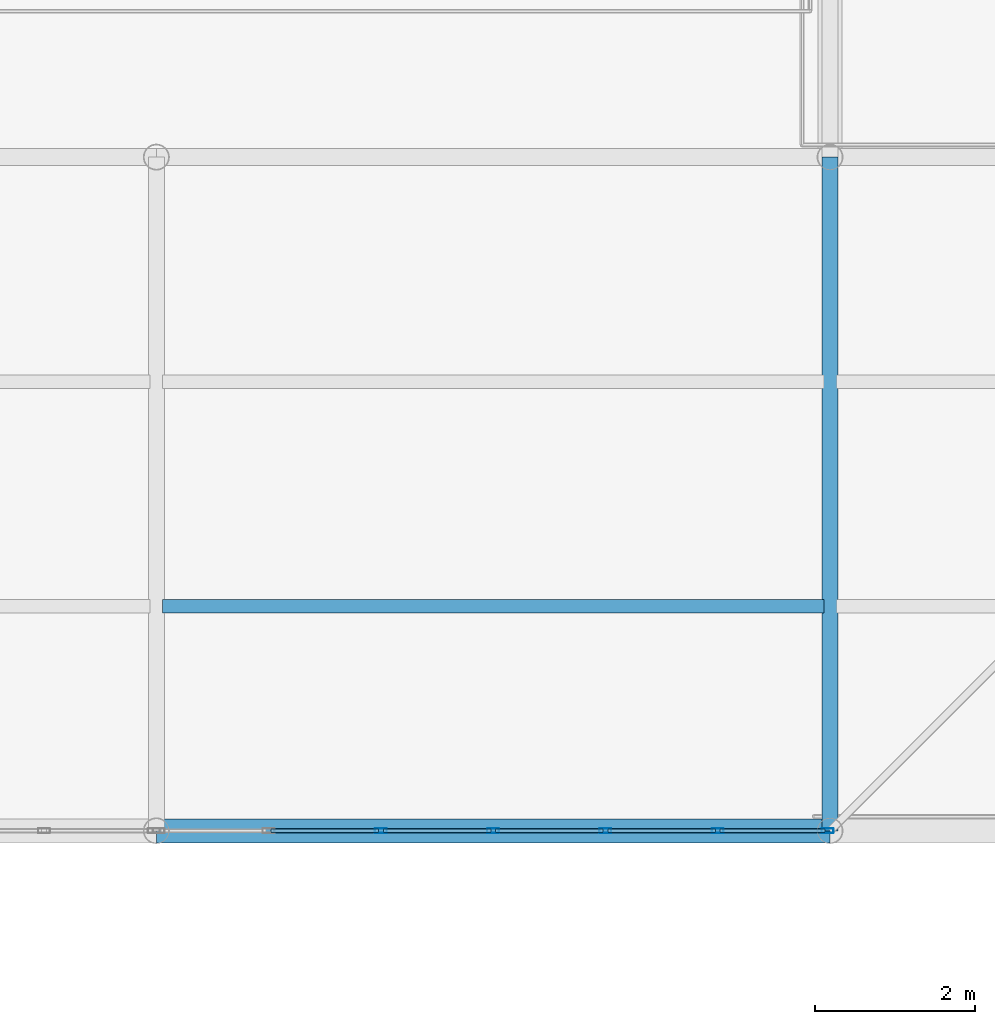
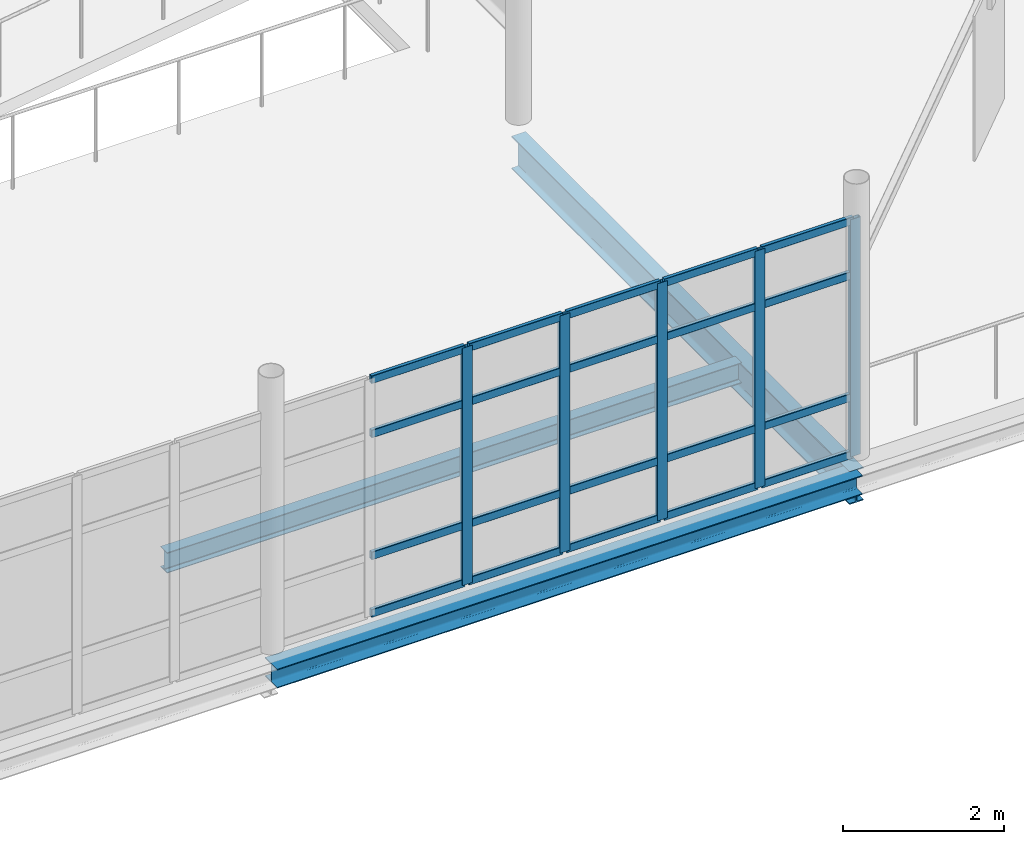
# One storey, part 33 of 69: 25 members, 3 beams, 1 element without a shape of its own.
"""IFC4 building model written with IfcOpenShell, lengths in metres."""

from ifc_helpers import new_model, si_unit, direction, frame, origin, origin_2d, place, context, subcontext, project, spatial, hollow_rectangle, i_section, extrude, material, layer, layer_set, material_profile, profile_set, type_object, element, aggregate, save


model = new_model("IFC4")

# Units and contexts
model_context = context("Model", 3, precision=1e-05, world=origin(), true_north=direction((0.0, 1.0)))
body_context = subcontext(model_context, "Body", "Model", "MODEL_VIEW")
ifc_project = project(units=[si_unit("LENGTHUNIT", "METRE"), si_unit("AREAUNIT", "SQUARE_METRE"), si_unit("VOLUMEUNIT", "CUBIC_METRE"), si_unit("PLANEANGLEUNIT", "RADIAN"), si_unit("MASSUNIT", "GRAM", prefix="KILO")], contexts=[model_context])

# Site, building, storey
site_placement = place(None, origin())
site = spatial("IfcSite", under=ifc_project, at=site_placement, CompositionType="ELEMENT")
building_placement = place(site_placement, origin())
building = spatial("IfcBuilding", under=site, at=building_placement, Name="Qalvenar Corner Mobility Hub", CompositionType="ELEMENT")
storey_placement = place(building_placement, frame((0.0, 0.0, 13.199951171875)))
storey = spatial("IfcBuildingStorey", under=building, at=storey_placement, Name="L03", CompositionType="ELEMENT", Elevation=13.199951171875)

# Beams
ifc_material_1 = material(Name="Steel S355", Category="steel")
ifc_material_profile_1 = material_profile(ifc_material_1, i_section(OverallWidth=0.199951171875, OverallDepth=0.5, WebThickness=0.01025390625, FlangeThickness=0.01611328125, FilletRadius=0.02099609375, at=origin_2d()), Name="IPE500")
ifc_profile_set_1 = profile_set([ifc_material_profile_1], Name="Steel S355")
beam_type_1 = type_object("IfcBeamType", Name="BM-IPE500", PredefinedType="BEAM", material=ifc_profile_set_1)
beam_1_placement = place(storey_placement, frame((159.60009765625, 67.199951171875, -0.489990234375), z_axis=(0.0, 1.0, 0.0), x_axis=(-1.0, 0.0, 0.0)))
element("IfcBeam", 1, at=beam_1_placement, inside=storey, type_object=beam_type_1, Name="Primary Steel Girder GY-2555", PredefinedType="BEAM", context=body_context, shape_type="SweptSolid", body=[
    extrude(i_section(OverallWidth=0.199951171875, OverallDepth=0.5, WebThickness=0.01025390625, FlangeThickness=0.01611328125, FilletRadius=0.02099609375, at=origin_2d()), origin(), (0.0, 0.0, 1.0), 8.400146484375),
])
ifc_material_profile_2 = material_profile(ifc_material_1, i_section(OverallWidth=0.1650390625, OverallDepth=0.31005859375, WebThickness=0.005859375, FlangeThickness=0.009765625, FilletRadius=0.011962890625, at=origin_2d()), Name="W310x38.7")
ifc_profile_set_2 = profile_set([ifc_material_profile_2], Name="Steel S355")
beam_type_2 = type_object("IfcBeamType", Name="BM-JST310", PredefinedType="JOIST", material=ifc_profile_set_2)
beam_2_placement = place(storey_placement, frame((151.278076171875, 70.0, -0.39501953125), z_axis=(1.0, 0.0, 0.0), x_axis=(0.0, 1.0, 0.0)))
element("IfcBeam", 2, at=beam_2_placement, inside=storey, type_object=beam_type_2, Name="Composite Floor Joist J-2575", PredefinedType="JOIST", context=body_context, shape_type="SweptSolid", body=[
    extrude(i_section(OverallWidth=0.1650390625, OverallDepth=0.31005859375, WebThickness=0.005859375, FlangeThickness=0.009765625, FilletRadius=0.011962890625, at=origin_2d()), origin(), (0.0, 0.0, 1.0), 8.243896484375),
])
ifc_material_profile_3 = material_profile(ifc_material_1, i_section(OverallWidth=0.300048828125, OverallDepth=0.2900390625, WebThickness=0.008544921875, FlangeThickness=0.013916015625, FilletRadius=0.027099609375, at=origin_2d()), Name="HEA300")
ifc_profile_set_3 = profile_set([ifc_material_profile_3], Name="Steel S355")
beam_type_3 = type_object("IfcBeamType", Name="BM-SPN300", PredefinedType="SPANDREL", material=ifc_profile_set_3)
beam_3_placement = place(storey_placement, frame((151.199951171875, 67.199951171875, -0.385009765625), z_axis=(1.0, 0.0, 0.0), x_axis=(0.0, 1.0, 0.0)))
element("IfcBeam", 3, at=beam_3_placement, inside=storey, type_object=beam_type_3, Name="Primary Steel Girder GX-2536", PredefinedType="SPANDREL", context=body_context, shape_type="SweptSolid", body=[
    extrude(i_section(OverallWidth=0.300048828125, OverallDepth=0.2900390625, WebThickness=0.008544921875, FlangeThickness=0.013916015625, FilletRadius=0.027099609375, at=origin_2d()), origin(), (0.0, 0.0, 1.0), 8.400146484375),
])

# Curtain wall, members
ifc_material_2 = material(Name="Anodised Aluminium and Low-E Glazing", Category="aluminium")
ifc_layer = layer(ifc_material_2, 0.1201171875)
ifc_layer_set = layer_set([ifc_layer], Name="Anodised Aluminium and Low-E Glazing")
curtain_wall_type = type_object("IfcCurtainWallType", Name="CW-STR-42X40", PredefinedType="NOTDEFINED", material=ifc_layer_set)
curtain_wall_placement = place(storey_placement, origin())
curtain_wall = element("IfcCurtainWall", 4, at=curtain_wall_placement, inside=storey, type_object=curtain_wall_type, Name="Glazed Curtain Wall CW-V2-L03-S1", PredefinedType="NOTDEFINED")
ifc_material_3 = material(Name="Anodised Aluminium 6063-T6", Category="aluminium")
ifc_material_profile_4 = material_profile(ifc_material_3, hollow_rectangle(XDim=0.06005859375, YDim=0.14990234375, WallThickness=0.00390625, InnerFilletRadius=0.00390625, OuterFilletRadius=0.008056640625, at=origin_2d()), Name="RHS150x60x4")
ifc_profile_set_4 = profile_set([ifc_material_profile_4], Name="Anodised Aluminium 6063-T6")
member_type_1 = type_object("IfcMemberType", Name="CW-MUL150", PredefinedType="MULLION", material=ifc_profile_set_4)
member_1_placement = place(storey_placement, frame((154.0, 67.199951171875, 0.0), z_axis=(0.0, 0.0, 1.0), x_axis=(0.0, 1.0, 0.0)))
member_1 = element("IfcMember", 5, at=member_1_placement, type_object=member_type_1, Name="CW-10 mullion 3", PredefinedType="MULLION", context=body_context, shape_type="SweptSolid", body=[
    extrude(hollow_rectangle(XDim=0.06005859375, YDim=0.14990234375, WallThickness=0.00390625, InnerFilletRadius=0.00390625, OuterFilletRadius=0.008056640625, at=origin_2d()), origin(), (0.0, 0.0, 1.0), 3.60009765625),
])
member_2_placement = place(storey_placement, frame((155.39990234375, 67.199951171875, 0.0), z_axis=(0.0, 0.0, 1.0), x_axis=(0.0, 1.0, 0.0)))
member_2 = element("IfcMember", 6, at=member_2_placement, type_object=member_type_1, Name="CW-10 mullion 4", PredefinedType="MULLION", context=body_context, shape_type="SweptSolid", body=[
    extrude(hollow_rectangle(XDim=0.06005859375, YDim=0.14990234375, WallThickness=0.00390625, InnerFilletRadius=0.00390625, OuterFilletRadius=0.008056640625, at=origin_2d()), origin(), (0.0, 0.0, 1.0), 3.60009765625),
])
member_3_placement = place(storey_placement, frame((156.800048828125, 67.199951171875, 0.0), z_axis=(0.0, 0.0, 1.0), x_axis=(0.0, 1.0, 0.0)))
member_3 = element("IfcMember", 7, at=member_3_placement, type_object=member_type_1, Name="CW-10 mullion 5", PredefinedType="MULLION", context=body_context, shape_type="SweptSolid", body=[
    extrude(hollow_rectangle(XDim=0.06005859375, YDim=0.14990234375, WallThickness=0.00390625, InnerFilletRadius=0.00390625, OuterFilletRadius=0.008056640625, at=origin_2d()), origin(), (0.0, 0.0, 1.0), 3.60009765625),
])
member_4_placement = place(storey_placement, frame((158.199951171875, 67.199951171875, 0.0), z_axis=(0.0, 0.0, 1.0), x_axis=(0.0, 1.0, 0.0)))
member_4 = element("IfcMember", 8, at=member_4_placement, type_object=member_type_1, Name="CW-10 mullion 6", PredefinedType="MULLION", context=body_context, shape_type="SweptSolid", body=[
    extrude(hollow_rectangle(XDim=0.06005859375, YDim=0.14990234375, WallThickness=0.00390625, InnerFilletRadius=0.00390625, OuterFilletRadius=0.008056640625, at=origin_2d()), origin(), (0.0, 0.0, 1.0), 3.60009765625),
])
member_5_placement = place(storey_placement, frame((159.570068359375, 67.199951171875, 0.0), z_axis=(0.0, 0.0, 1.0), x_axis=(0.0, 1.0, 0.0)))
member_5 = element("IfcMember", 9, at=member_5_placement, type_object=member_type_1, Name="CW-10 mullion 7", PredefinedType="MULLION", context=body_context, shape_type="SweptSolid", body=[
    extrude(hollow_rectangle(XDim=0.06005859375, YDim=0.14990234375, WallThickness=0.00390625, InnerFilletRadius=0.00390625, OuterFilletRadius=0.008056640625, at=origin_2d()), origin(), (0.0, 0.0, 1.0), 3.60009765625),
])
ifc_material_profile_5 = material_profile(ifc_material_3, hollow_rectangle(XDim=0.054931640625, YDim=0.1201171875, WallThickness=0.00341796875, InnerFilletRadius=0.00341796875, OuterFilletRadius=0.007080078125, at=origin_2d()), Name="RHS120x55x3.5")
ifc_profile_set_5 = profile_set([ifc_material_profile_5], Name="Anodised Aluminium 6063-T6")
member_type_2 = type_object("IfcMemberType", Name="CW-TRN120", PredefinedType="USERDEFINED", material=ifc_profile_set_5)
member_6_placement = place(storey_placement, frame((152.6298828125, 67.199951171875, 0.027587890625), z_axis=(1.0, 0.0, 0.0), x_axis=(0.0, 1.0, 0.0)))
member_6 = element("IfcMember", 10, at=member_6_placement, type_object=member_type_2, Name="CW-10 transom 2.1", ObjectType="TRANSOM", PredefinedType="USERDEFINED", context=body_context, shape_type="SweptSolid", body=[
    extrude(hollow_rectangle(XDim=0.054931640625, YDim=0.1201171875, WallThickness=0.00341796875, InnerFilletRadius=0.00341796875, OuterFilletRadius=0.007080078125, at=origin_2d()), origin(), (0.0, 0.0, 1.0), 1.340087890625),
])
member_7_placement = place(storey_placement, frame((152.6298828125, 67.199951171875, 0.900146484375), z_axis=(1.0, 0.0, 0.0), x_axis=(0.0, 1.0, 0.0)))
member_7 = element("IfcMember", 11, at=member_7_placement, type_object=member_type_2, Name="CW-10 transom 2.2", ObjectType="TRANSOM", PredefinedType="USERDEFINED", context=body_context, shape_type="SweptSolid", body=[
    extrude(hollow_rectangle(XDim=0.054931640625, YDim=0.1201171875, WallThickness=0.00341796875, InnerFilletRadius=0.00341796875, OuterFilletRadius=0.007080078125, at=origin_2d()), origin(), (0.0, 0.0, 1.0), 1.340087890625),
])
member_8_placement = place(storey_placement, frame((152.6298828125, 67.199951171875, 2.75), z_axis=(1.0, 0.0, 0.0), x_axis=(0.0, 1.0, 0.0)))
member_8 = element("IfcMember", 12, at=member_8_placement, type_object=member_type_2, Name="CW-10 transom 2.3", ObjectType="TRANSOM", PredefinedType="USERDEFINED", context=body_context, shape_type="SweptSolid", body=[
    extrude(hollow_rectangle(XDim=0.054931640625, YDim=0.1201171875, WallThickness=0.00341796875, InnerFilletRadius=0.00341796875, OuterFilletRadius=0.007080078125, at=origin_2d()), origin(), (0.0, 0.0, 1.0), 1.340087890625),
])
member_9_placement = place(storey_placement, frame((152.6298828125, 67.199951171875, 3.572509765625), z_axis=(1.0, 0.0, 0.0), x_axis=(0.0, 1.0, 0.0)))
member_9 = element("IfcMember", 13, at=member_9_placement, type_object=member_type_2, Name="CW-10 transom 2.4", ObjectType="TRANSOM", PredefinedType="USERDEFINED", context=body_context, shape_type="SweptSolid", body=[
    extrude(hollow_rectangle(XDim=0.054931640625, YDim=0.1201171875, WallThickness=0.00341796875, InnerFilletRadius=0.00341796875, OuterFilletRadius=0.007080078125, at=origin_2d()), origin(), (0.0, 0.0, 1.0), 1.340087890625),
])
member_10_placement = place(storey_placement, frame((154.030029296875, 67.199951171875, 0.027587890625), z_axis=(1.0, 0.0, 0.0), x_axis=(0.0, 1.0, 0.0)))
member_10 = element("IfcMember", 14, at=member_10_placement, type_object=member_type_2, Name="CW-10 transom 3.1", ObjectType="TRANSOM", PredefinedType="USERDEFINED", context=body_context, shape_type="SweptSolid", body=[
    extrude(hollow_rectangle(XDim=0.054931640625, YDim=0.1201171875, WallThickness=0.00341796875, InnerFilletRadius=0.00341796875, OuterFilletRadius=0.007080078125, at=origin_2d()), origin(), (0.0, 0.0, 1.0), 1.340087890625),
])
member_11_placement = place(storey_placement, frame((154.030029296875, 67.199951171875, 0.900146484375), z_axis=(1.0, 0.0, 0.0), x_axis=(0.0, 1.0, 0.0)))
member_11 = element("IfcMember", 15, at=member_11_placement, type_object=member_type_2, Name="CW-10 transom 3.2", ObjectType="TRANSOM", PredefinedType="USERDEFINED", context=body_context, shape_type="SweptSolid", body=[
    extrude(hollow_rectangle(XDim=0.054931640625, YDim=0.1201171875, WallThickness=0.00341796875, InnerFilletRadius=0.00341796875, OuterFilletRadius=0.007080078125, at=origin_2d()), origin(), (0.0, 0.0, 1.0), 1.340087890625),
])
member_12_placement = place(storey_placement, frame((154.030029296875, 67.199951171875, 2.75), z_axis=(1.0, 0.0, 0.0), x_axis=(0.0, 1.0, 0.0)))
member_12 = element("IfcMember", 16, at=member_12_placement, type_object=member_type_2, Name="CW-10 transom 3.3", ObjectType="TRANSOM", PredefinedType="USERDEFINED", context=body_context, shape_type="SweptSolid", body=[
    extrude(hollow_rectangle(XDim=0.054931640625, YDim=0.1201171875, WallThickness=0.00341796875, InnerFilletRadius=0.00341796875, OuterFilletRadius=0.007080078125, at=origin_2d()), origin(), (0.0, 0.0, 1.0), 1.340087890625),
])
member_13_placement = place(storey_placement, frame((154.030029296875, 67.199951171875, 3.572509765625), z_axis=(1.0, 0.0, 0.0), x_axis=(0.0, 1.0, 0.0)))
member_13 = element("IfcMember", 17, at=member_13_placement, type_object=member_type_2, Name="CW-10 transom 3.4", ObjectType="TRANSOM", PredefinedType="USERDEFINED", context=body_context, shape_type="SweptSolid", body=[
    extrude(hollow_rectangle(XDim=0.054931640625, YDim=0.1201171875, WallThickness=0.00341796875, InnerFilletRadius=0.00341796875, OuterFilletRadius=0.007080078125, at=origin_2d()), origin(), (0.0, 0.0, 1.0), 1.340087890625),
])
member_14_placement = place(storey_placement, frame((155.429931640625, 67.199951171875, 0.027587890625), z_axis=(1.0, 0.0, 0.0), x_axis=(0.0, 1.0, 0.0)))
member_14 = element("IfcMember", 18, at=member_14_placement, type_object=member_type_2, Name="CW-10 transom 4.1", ObjectType="TRANSOM", PredefinedType="USERDEFINED", context=body_context, shape_type="SweptSolid", body=[
    extrude(hollow_rectangle(XDim=0.054931640625, YDim=0.1201171875, WallThickness=0.00341796875, InnerFilletRadius=0.00341796875, OuterFilletRadius=0.007080078125, at=origin_2d()), origin(), (0.0, 0.0, 1.0), 1.340087890625),
])
member_15_placement = place(storey_placement, frame((155.429931640625, 67.199951171875, 0.900146484375), z_axis=(1.0, 0.0, 0.0), x_axis=(0.0, 1.0, 0.0)))
member_15 = element("IfcMember", 19, at=member_15_placement, type_object=member_type_2, Name="CW-10 transom 4.2", ObjectType="TRANSOM", PredefinedType="USERDEFINED", context=body_context, shape_type="SweptSolid", body=[
    extrude(hollow_rectangle(XDim=0.054931640625, YDim=0.1201171875, WallThickness=0.00341796875, InnerFilletRadius=0.00341796875, OuterFilletRadius=0.007080078125, at=origin_2d()), origin(), (0.0, 0.0, 1.0), 1.340087890625),
])
member_16_placement = place(storey_placement, frame((155.429931640625, 67.199951171875, 2.75), z_axis=(1.0, 0.0, 0.0), x_axis=(0.0, 1.0, 0.0)))
member_16 = element("IfcMember", 20, at=member_16_placement, type_object=member_type_2, Name="CW-10 transom 4.3", ObjectType="TRANSOM", PredefinedType="USERDEFINED", context=body_context, shape_type="SweptSolid", body=[
    extrude(hollow_rectangle(XDim=0.054931640625, YDim=0.1201171875, WallThickness=0.00341796875, InnerFilletRadius=0.00341796875, OuterFilletRadius=0.007080078125, at=origin_2d()), origin(), (0.0, 0.0, 1.0), 1.340087890625),
])
member_17_placement = place(storey_placement, frame((155.429931640625, 67.199951171875, 3.572509765625), z_axis=(1.0, 0.0, 0.0), x_axis=(0.0, 1.0, 0.0)))
member_17 = element("IfcMember", 21, at=member_17_placement, type_object=member_type_2, Name="CW-10 transom 4.4", ObjectType="TRANSOM", PredefinedType="USERDEFINED", context=body_context, shape_type="SweptSolid", body=[
    extrude(hollow_rectangle(XDim=0.054931640625, YDim=0.1201171875, WallThickness=0.00341796875, InnerFilletRadius=0.00341796875, OuterFilletRadius=0.007080078125, at=origin_2d()), origin(), (0.0, 0.0, 1.0), 1.340087890625),
])
member_18_placement = place(storey_placement, frame((156.830078125, 67.199951171875, 0.027587890625), z_axis=(1.0, 0.0, 0.0), x_axis=(0.0, 1.0, 0.0)))
member_18 = element("IfcMember", 22, at=member_18_placement, type_object=member_type_2, Name="CW-10 transom 5.1", ObjectType="TRANSOM", PredefinedType="USERDEFINED", context=body_context, shape_type="SweptSolid", body=[
    extrude(hollow_rectangle(XDim=0.054931640625, YDim=0.1201171875, WallThickness=0.00341796875, InnerFilletRadius=0.00341796875, OuterFilletRadius=0.007080078125, at=origin_2d()), origin(), (0.0, 0.0, 1.0), 1.33984375),
])
member_19_placement = place(storey_placement, frame((156.830078125, 67.199951171875, 0.900146484375), z_axis=(1.0, 0.0, 0.0), x_axis=(0.0, 1.0, 0.0)))
member_19 = element("IfcMember", 23, at=member_19_placement, type_object=member_type_2, Name="CW-10 transom 5.2", ObjectType="TRANSOM", PredefinedType="USERDEFINED", context=body_context, shape_type="SweptSolid", body=[
    extrude(hollow_rectangle(XDim=0.054931640625, YDim=0.1201171875, WallThickness=0.00341796875, InnerFilletRadius=0.00341796875, OuterFilletRadius=0.007080078125, at=origin_2d()), origin(), (0.0, 0.0, 1.0), 1.33984375),
])
member_20_placement = place(storey_placement, frame((156.830078125, 67.199951171875, 2.75), z_axis=(1.0, 0.0, 0.0), x_axis=(0.0, 1.0, 0.0)))
member_20 = element("IfcMember", 24, at=member_20_placement, type_object=member_type_2, Name="CW-10 transom 5.3", ObjectType="TRANSOM", PredefinedType="USERDEFINED", context=body_context, shape_type="SweptSolid", body=[
    extrude(hollow_rectangle(XDim=0.054931640625, YDim=0.1201171875, WallThickness=0.00341796875, InnerFilletRadius=0.00341796875, OuterFilletRadius=0.007080078125, at=origin_2d()), origin(), (0.0, 0.0, 1.0), 1.33984375),
])
member_21_placement = place(storey_placement, frame((156.830078125, 67.199951171875, 3.572509765625), z_axis=(1.0, 0.0, 0.0), x_axis=(0.0, 1.0, 0.0)))
member_21 = element("IfcMember", 25, at=member_21_placement, type_object=member_type_2, Name="CW-10 transom 5.4", ObjectType="TRANSOM", PredefinedType="USERDEFINED", context=body_context, shape_type="SweptSolid", body=[
    extrude(hollow_rectangle(XDim=0.054931640625, YDim=0.1201171875, WallThickness=0.00341796875, InnerFilletRadius=0.00341796875, OuterFilletRadius=0.007080078125, at=origin_2d()), origin(), (0.0, 0.0, 1.0), 1.33984375),
])
member_22_placement = place(storey_placement, frame((158.22998046875, 67.199951171875, 0.027587890625), z_axis=(1.0, 0.0, 0.0), x_axis=(0.0, 1.0, 0.0)))
member_22 = element("IfcMember", 26, at=member_22_placement, type_object=member_type_2, Name="CW-10 transom 6.1", ObjectType="TRANSOM", PredefinedType="USERDEFINED", context=body_context, shape_type="SweptSolid", body=[
    extrude(hollow_rectangle(XDim=0.054931640625, YDim=0.1201171875, WallThickness=0.00341796875, InnerFilletRadius=0.00341796875, OuterFilletRadius=0.007080078125, at=origin_2d()), origin(), (0.0, 0.0, 1.0), 1.31005859375),
])
member_23_placement = place(storey_placement, frame((158.22998046875, 67.199951171875, 0.900146484375), z_axis=(1.0, 0.0, 0.0), x_axis=(0.0, 1.0, 0.0)))
member_23 = element("IfcMember", 27, at=member_23_placement, type_object=member_type_2, Name="CW-10 transom 6.2", ObjectType="TRANSOM", PredefinedType="USERDEFINED", context=body_context, shape_type="SweptSolid", body=[
    extrude(hollow_rectangle(XDim=0.054931640625, YDim=0.1201171875, WallThickness=0.00341796875, InnerFilletRadius=0.00341796875, OuterFilletRadius=0.007080078125, at=origin_2d()), origin(), (0.0, 0.0, 1.0), 1.31005859375),
])
member_24_placement = place(storey_placement, frame((158.22998046875, 67.199951171875, 2.75), z_axis=(1.0, 0.0, 0.0), x_axis=(0.0, 1.0, 0.0)))
member_24 = element("IfcMember", 28, at=member_24_placement, type_object=member_type_2, Name="CW-10 transom 6.3", ObjectType="TRANSOM", PredefinedType="USERDEFINED", context=body_context, shape_type="SweptSolid", body=[
    extrude(hollow_rectangle(XDim=0.054931640625, YDim=0.1201171875, WallThickness=0.00341796875, InnerFilletRadius=0.00341796875, OuterFilletRadius=0.007080078125, at=origin_2d()), origin(), (0.0, 0.0, 1.0), 1.31005859375),
])
member_25_placement = place(storey_placement, frame((158.22998046875, 67.199951171875, 3.572509765625), z_axis=(1.0, 0.0, 0.0), x_axis=(0.0, 1.0, 0.0)))
member_25 = element("IfcMember", 29, at=member_25_placement, type_object=member_type_2, Name="CW-10 transom 6.4", ObjectType="TRANSOM", PredefinedType="USERDEFINED", context=body_context, shape_type="SweptSolid", body=[
    extrude(hollow_rectangle(XDim=0.054931640625, YDim=0.1201171875, WallThickness=0.00341796875, InnerFilletRadius=0.00341796875, OuterFilletRadius=0.007080078125, at=origin_2d()), origin(), (0.0, 0.0, 1.0), 1.31005859375),
])
aggregate(curtain_wall, [member_1, member_2, member_3, member_4, member_5, member_6, member_7, member_8, member_9, member_10, member_11, member_12, member_13, member_14, member_15, member_16, member_17, member_18, member_19, member_20, member_21, member_22, member_23, member_24, member_25])

save(model, "model.ifc")
